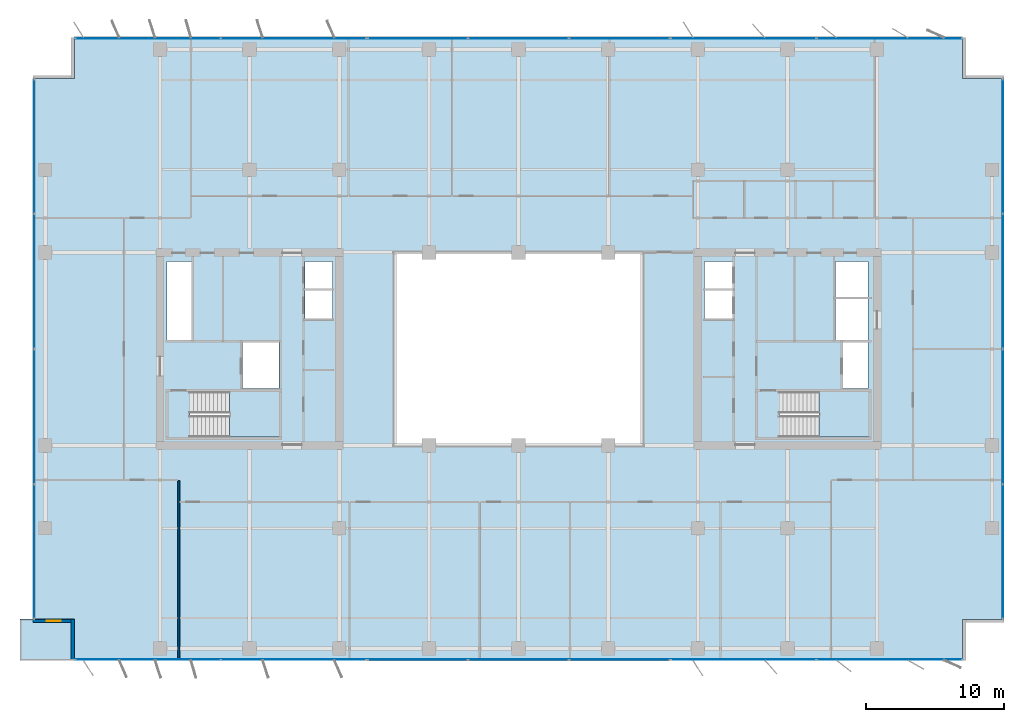
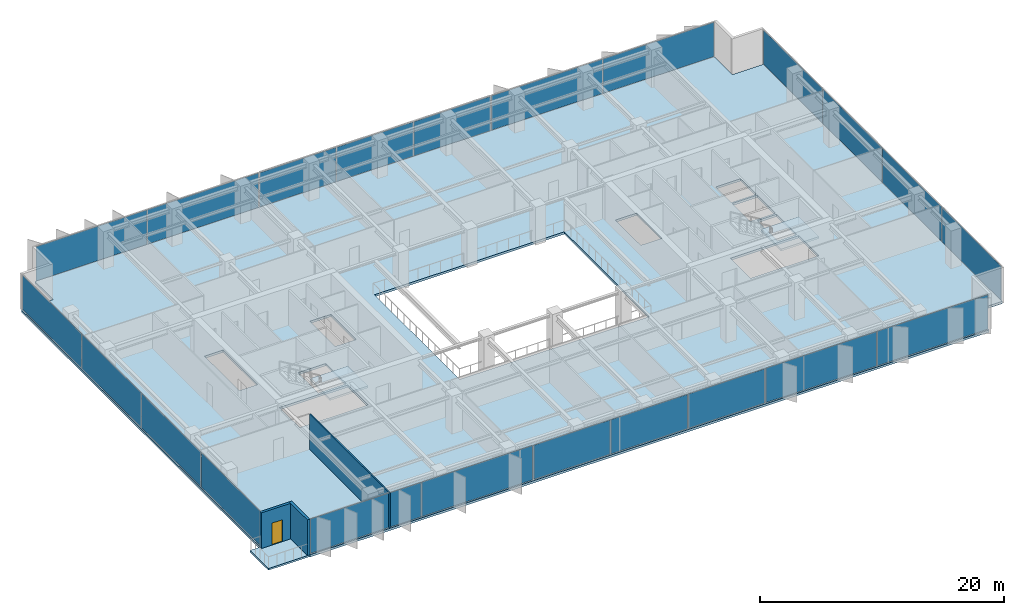
# One storey, part 14 of 22: 22 plates, 4 slabs, 3 walls, 1 door, 1 opening, 10 elements without a shape of their own.
"""IFC4 building model written with IfcOpenShell, lengths in metres."""

from ifc_helpers import new_model, si_unit, direction, frame, frame_2d, origin, origin_2d, place, context, subcontext, project, spatial, polyline, rectangle, outline, extrude, material, layer, layer_set, type_object, element, fill, aggregate, save


model = new_model("IFC4")

# Units and contexts
model_context = context("Model", 3, precision=1e-05, world=origin(), true_north=direction((0.0, 1.0)))
body_context = subcontext(model_context, "Body", "Model", "MODEL_VIEW")
ifc_project = project(units=[si_unit("LENGTHUNIT", "METRE"), si_unit("AREAUNIT", "SQUARE_METRE"), si_unit("VOLUMEUNIT", "CUBIC_METRE"), si_unit("PLANEANGLEUNIT", "RADIAN"), si_unit("MASSUNIT", "GRAM", prefix="KILO")], contexts=[model_context])

# Site, building, storey
site_placement = place(None, origin())
site = spatial("IfcSite", under=ifc_project, at=site_placement, CompositionType="ELEMENT")
building_placement = place(site_placement, origin())
building = spatial("IfcBuilding", under=site, at=building_placement, Name="Putna Gate Headquarters", CompositionType="ELEMENT")
storey_placement = place(building_placement, frame((0.0, 0.0, 163.199951171875)))
storey = spatial("IfcBuildingStorey", under=building, at=storey_placement, Name="L40", CompositionType="ELEMENT", Elevation=163.199951171875)

# Stair, slab
ifc_material_1 = material(Name="Concrete C40/50", Category="concrete")
stair_type_1 = type_object("IfcStairType", Name="STAIR-ST1", PredefinedType="HALF_TURN_STAIR", material=ifc_material_1)
stair_1_placement = place(storey_placement, origin())
stair_1 = element("IfcStair", 1, at=stair_1_placement, inside=storey, type_object=stair_type_1, Name="L40 West Core Exit Stair ST1", PredefinedType="HALF_TURN_STAIR")
ifc_layer_1 = layer(ifc_material_1, 0.199951171875)
ifc_layer_set_1 = layer_set([ifc_layer_1], Name="Concrete C40/50")
slab_type_1 = type_object("IfcSlabType", Name="LANDING-ST1", PredefinedType="LANDING", material=ifc_layer_set_1)
slab_1_placement = place(storey_placement, frame((0.0, 0.0, 1.699951171875)))
slab_1 = element("IfcSlab", 2, at=slab_1_placement, type_object=slab_type_1, Name="ST1 landing 1", PredefinedType="LANDING", context=body_context, shape_type="SweptSolid", body=[
    extrude(outline(polyline([(18.050048828125, 19.60009765625), (21.64990234375, 19.60009765625), (21.64990234375, 22.89990234375), (18.050048828125, 22.89990234375), (18.050048828125, 19.60009765625)])), origin(), (0.0, 0.0, 1.0), 0.2001953125),
])
aggregate(stair_1, [slab_1])

stair_type_2 = type_object("IfcStairType", Name="STAIR-ST2", PredefinedType="HALF_TURN_STAIR", material=ifc_material_1)
stair_2_placement = place(storey_placement, origin())
stair_2 = element("IfcStair", 3, at=stair_2_placement, inside=storey, type_object=stair_type_2, Name="L40 East Core Exit Stair ST2", PredefinedType="HALF_TURN_STAIR")
ifc_layer_2 = layer(ifc_material_1, 0.199951171875)
ifc_layer_set_2 = layer_set([ifc_layer_2], Name="Concrete C40/50")
slab_type_2 = type_object("IfcSlabType", Name="LANDING-ST2", PredefinedType="LANDING", material=ifc_layer_set_2)
slab_2_placement = place(storey_placement, frame((0.0, 0.0, 1.699951171875)))
slab_2 = element("IfcSlab", 4, at=slab_2_placement, type_object=slab_type_2, Name="ST2 landing 1", PredefinedType="LANDING", context=body_context, shape_type="SweptSolid", body=[
    extrude(outline(polyline([(60.800048828125, 19.60009765625), (64.39990234375, 19.60009765625), (64.39990234375, 22.89990234375), (60.800048828125, 22.89990234375), (60.800048828125, 19.60009765625)])), origin(), (0.0, 0.0, 1.0), 0.2001953125),
])
aggregate(stair_2, [slab_2])

# Curtain wall, plates
ifc_material_2 = material(Name="Anodised bronze aluminium curtain wall", Category="aluminium")
ifc_layer_3 = layer(ifc_material_2, 0.159912109375)
ifc_layer_set_3 = layer_set([ifc_layer_3], Name="Anodised bronze aluminium curtain wall")
curtain_wall_type_1 = type_object("IfcCurtainWallType", Name="CW-SYS-Z3", PredefinedType="USERDEFINED", material=ifc_layer_set_3)
curtain_wall_1_placement = place(storey_placement, origin())
curtain_wall_1 = element("IfcCurtainWall", 5, at=curtain_wall_1_placement, inside=storey, type_object=curtain_wall_type_1, Name="L40 South West Curtain Wall", ObjectType="STICK CURTAIN WALL", PredefinedType="USERDEFINED")
ifc_material_3 = material(Name="Solar-control triple low-E glass", Category="glass")
ifc_layer_4 = layer(ifc_material_3, 0.028076171875)
ifc_layer_set_4 = layer_set([ifc_layer_4], Name="Solar-control triple low-E glass")
plate_type_1 = type_object("IfcPlateType", Name="PAN-CWP-3", PredefinedType="CURTAIN_PANEL", material=ifc_layer_set_4)
plate_1_placement = place(storey_placement, frame((12.1162109375, 3.47998046875, 0.06005859375), z_axis=(0.0, 0.0, 1.0), x_axis=(1.0, 0.0, 0.0)))
plate_1 = element("IfcPlate", 6, at=plate_1_placement, type_object=plate_type_1, Name="CWS-3 panel 1.1", PredefinedType="CURTAIN_PANEL", context=body_context, shape_type="SweptSolid", body=[
    extrude(rectangle(XDim=10.50244140625, YDim=0.028076171875, at=origin_2d()), origin(), (0.0, 0.0, 1.0), 3.451904296875),
])
plate_2_placement = place(storey_placement, frame((22.683837890625, 3.47998046875, 0.06005859375), z_axis=(0.0, 0.0, 1.0), x_axis=(1.0, 0.0, 0.0)))
plate_2 = element("IfcPlate", 7, at=plate_2_placement, type_object=plate_type_1, Name="CWS-3 panel 2.1", PredefinedType="CURTAIN_PANEL", context=body_context, shape_type="SweptSolid", body=[
    extrude(rectangle(XDim=10.50244140625, YDim=0.028076171875, at=origin_2d()), origin(), (0.0, 0.0, 1.0), 3.451904296875),
])
aggregate(curtain_wall_1, [plate_1, plate_2])

curtain_wall_2_placement = place(storey_placement, origin())
curtain_wall_2 = element("IfcCurtainWall", 8, at=curtain_wall_2_placement, inside=storey, type_object=curtain_wall_type_1, Name="L40 South East Curtain Wall", ObjectType="STICK CURTAIN WALL", PredefinedType="USERDEFINED")
plate_3_placement = place(storey_placement, frame((55.316162109375, 3.47998046875, 0.06005859375), z_axis=(0.0, 0.0, 1.0), x_axis=(1.0, 0.0, 0.0)))
plate_3 = element("IfcPlate", 9, at=plate_3_placement, type_object=plate_type_1, Name="CWS-3 panel 1.1", PredefinedType="CURTAIN_PANEL", context=body_context, shape_type="SweptSolid", body=[
    extrude(rectangle(XDim=10.50244140625, YDim=0.028076171875, at=origin_2d()), origin(), (0.0, 0.0, 1.0), 3.451904296875),
])
plate_4_placement = place(storey_placement, frame((65.8837890625, 3.47998046875, 0.06005859375), z_axis=(0.0, 0.0, 1.0), x_axis=(1.0, 0.0, 0.0)))
plate_4 = element("IfcPlate", 10, at=plate_4_placement, type_object=plate_type_1, Name="CWS-3 panel 2.1", PredefinedType="CURTAIN_PANEL", context=body_context, shape_type="SweptSolid", body=[
    extrude(rectangle(XDim=10.50244140625, YDim=0.028076171875, at=origin_2d()), origin(), (0.0, 0.0, 1.0), 3.451904296875),
])
aggregate(curtain_wall_2, [plate_3, plate_4])

curtain_wall_3_placement = place(storey_placement, origin())
curtain_wall_3 = element("IfcCurtainWall", 11, at=curtain_wall_3_placement, inside=storey, type_object=curtain_wall_type_1, Name="L40 North West Curtain Wall", ObjectType="STICK CURTAIN WALL", PredefinedType="USERDEFINED")
plate_5_placement = place(storey_placement, frame((12.1162109375, 48.52001953125, 0.06005859375), z_axis=(0.0, 0.0, 1.0), x_axis=(1.0, 0.0, 0.0)))
plate_5 = element("IfcPlate", 12, at=plate_5_placement, type_object=plate_type_1, Name="CWS-3 panel 1.1", PredefinedType="CURTAIN_PANEL", context=body_context, shape_type="SweptSolid", body=[
    extrude(rectangle(XDim=10.50244140625, YDim=0.028076171875, at=origin_2d()), origin(), (0.0, 0.0, 1.0), 3.451904296875),
])
plate_6_placement = place(storey_placement, frame((22.683837890625, 48.52001953125, 0.06005859375), z_axis=(0.0, 0.0, 1.0), x_axis=(1.0, 0.0, 0.0)))
plate_6 = element("IfcPlate", 13, at=plate_6_placement, type_object=plate_type_1, Name="CWS-3 panel 2.1", PredefinedType="CURTAIN_PANEL", context=body_context, shape_type="SweptSolid", body=[
    extrude(rectangle(XDim=10.50244140625, YDim=0.028076171875, at=origin_2d()), origin(), (0.0, 0.0, 1.0), 3.451904296875),
])
aggregate(curtain_wall_3, [plate_5, plate_6])

curtain_wall_4_placement = place(storey_placement, origin())
curtain_wall_4 = element("IfcCurtainWall", 14, at=curtain_wall_4_placement, inside=storey, type_object=curtain_wall_type_1, Name="L40 North East Curtain Wall", ObjectType="STICK CURTAIN WALL", PredefinedType="USERDEFINED")
plate_7_placement = place(storey_placement, frame((55.316162109375, 48.52001953125, 0.06005859375), z_axis=(0.0, 0.0, 1.0), x_axis=(1.0, 0.0, 0.0)))
plate_7 = element("IfcPlate", 15, at=plate_7_placement, type_object=plate_type_1, Name="CWS-3 panel 1.1", PredefinedType="CURTAIN_PANEL", context=body_context, shape_type="SweptSolid", body=[
    extrude(rectangle(XDim=10.50244140625, YDim=0.028076171875, at=origin_2d()), origin(), (0.0, 0.0, 1.0), 3.451904296875),
])
plate_8_placement = place(storey_placement, frame((65.8837890625, 48.52001953125, 0.06005859375), z_axis=(0.0, 0.0, 1.0), x_axis=(1.0, 0.0, 0.0)))
plate_8 = element("IfcPlate", 16, at=plate_8_placement, type_object=plate_type_1, Name="CWS-3 panel 2.1", PredefinedType="CURTAIN_PANEL", context=body_context, shape_type="SweptSolid", body=[
    extrude(rectangle(XDim=10.50244140625, YDim=0.028076171875, at=origin_2d()), origin(), (0.0, 0.0, 1.0), 3.451904296875),
])
aggregate(curtain_wall_4, [plate_7, plate_8])

curtain_wall_5_placement = place(storey_placement, origin())
curtain_wall_5 = element("IfcCurtainWall", 17, at=curtain_wall_5_placement, inside=storey, type_object=curtain_wall_type_1, Name="L40 West Curtain Wall", ObjectType="STICK CURTAIN WALL", PredefinedType="USERDEFINED")
plate_9_placement = place(storey_placement, frame((3.8798828125, 11.316162109375, 0.06005859375), z_axis=(0.0, 0.0, 1.0), x_axis=(0.0, 1.0, 0.0)))
plate_9 = element("IfcPlate", 18, at=plate_9_placement, type_object=plate_type_1, Name="CWS-3 panel 1.1", PredefinedType="CURTAIN_PANEL", context=body_context, shape_type="SweptSolid", body=[
    extrude(rectangle(XDim=9.702392578125, YDim=0.028076171875, at=origin_2d()), origin(), (0.0, 0.0, 1.0), 3.451904296875),
])
plate_10_placement = place(storey_placement, frame((3.8798828125, 21.10009765625, 0.06005859375), z_axis=(0.0, 0.0, 1.0), x_axis=(0.0, 1.0, 0.0)))
plate_10 = element("IfcPlate", 19, at=plate_10_placement, type_object=plate_type_1, Name="CWS-3 panel 2.1", PredefinedType="CURTAIN_PANEL", context=body_context, shape_type="SweptSolid", body=[
    extrude(rectangle(XDim=9.735107421875, YDim=0.028076171875, at=origin_2d()), origin(), (0.0, 0.0, 1.0), 3.451904296875),
])
plate_11_placement = place(storey_placement, frame((3.8798828125, 30.89990234375, 0.06005859375), z_axis=(0.0, 0.0, 1.0), x_axis=(0.0, 1.0, 0.0)))
plate_11 = element("IfcPlate", 20, at=plate_11_placement, type_object=plate_type_1, Name="CWS-3 panel 3.1", PredefinedType="CURTAIN_PANEL", context=body_context, shape_type="SweptSolid", body=[
    extrude(rectangle(XDim=9.735107421875, YDim=0.028076171875, at=origin_2d()), origin(), (0.0, 0.0, 1.0), 3.451904296875),
])
plate_12_placement = place(storey_placement, frame((3.8798828125, 40.683837890625, 0.06005859375), z_axis=(0.0, 0.0, 1.0), x_axis=(0.0, 1.0, 0.0)))
plate_12 = element("IfcPlate", 21, at=plate_12_placement, type_object=plate_type_1, Name="CWS-3 panel 4.1", PredefinedType="CURTAIN_PANEL", context=body_context, shape_type="SweptSolid", body=[
    extrude(rectangle(XDim=9.702392578125, YDim=0.028076171875, at=origin_2d()), origin(), (0.0, 0.0, 1.0), 3.451904296875),
])
aggregate(curtain_wall_5, [plate_9, plate_10, plate_11, plate_12])

curtain_wall_6_placement = place(storey_placement, origin())
curtain_wall_6 = element("IfcCurtainWall", 22, at=curtain_wall_6_placement, inside=storey, type_object=curtain_wall_type_1, Name="L40 East Curtain Wall", ObjectType="STICK CURTAIN WALL", PredefinedType="USERDEFINED")
plate_13_placement = place(storey_placement, frame((74.1201171875, 11.316162109375, 0.06005859375), z_axis=(0.0, 0.0, 1.0), x_axis=(0.0, 1.0, 0.0)))
plate_13 = element("IfcPlate", 23, at=plate_13_placement, type_object=plate_type_1, Name="CWS-3 panel 1.1", PredefinedType="CURTAIN_PANEL", context=body_context, shape_type="SweptSolid", body=[
    extrude(rectangle(XDim=9.702392578125, YDim=0.028076171875, at=origin_2d()), origin(), (0.0, 0.0, 1.0), 3.451904296875),
])
plate_14_placement = place(storey_placement, frame((74.1201171875, 21.10009765625, 0.06005859375), z_axis=(0.0, 0.0, 1.0), x_axis=(0.0, 1.0, 0.0)))
plate_14 = element("IfcPlate", 24, at=plate_14_placement, type_object=plate_type_1, Name="CWS-3 panel 2.1", PredefinedType="CURTAIN_PANEL", context=body_context, shape_type="SweptSolid", body=[
    extrude(rectangle(XDim=9.735107421875, YDim=0.028076171875, at=origin_2d()), origin(), (0.0, 0.0, 1.0), 3.451904296875),
])
plate_15_placement = place(storey_placement, frame((74.1201171875, 30.89990234375, 0.06005859375), z_axis=(0.0, 0.0, 1.0), x_axis=(0.0, 1.0, 0.0)))
plate_15 = element("IfcPlate", 25, at=plate_15_placement, type_object=plate_type_1, Name="CWS-3 panel 3.1", PredefinedType="CURTAIN_PANEL", context=body_context, shape_type="SweptSolid", body=[
    extrude(rectangle(XDim=9.735107421875, YDim=0.028076171875, at=origin_2d()), origin(), (0.0, 0.0, 1.0), 3.451904296875),
])
plate_16_placement = place(storey_placement, frame((74.1201171875, 40.683837890625, 0.06005859375), z_axis=(0.0, 0.0, 1.0), x_axis=(0.0, 1.0, 0.0)))
plate_16 = element("IfcPlate", 26, at=plate_16_placement, type_object=plate_type_1, Name="CWS-3 panel 4.1", PredefinedType="CURTAIN_PANEL", context=body_context, shape_type="SweptSolid", body=[
    extrude(rectangle(XDim=9.702392578125, YDim=0.028076171875, at=origin_2d()), origin(), (0.0, 0.0, 1.0), 3.451904296875),
])
aggregate(curtain_wall_6, [plate_13, plate_14, plate_15, plate_16])

ifc_layer_5 = layer(ifc_material_2, 0.179931640625)
ifc_layer_set_5 = layer_set([ifc_layer_5], Name="Anodised bronze aluminium curtain wall")
curtain_wall_type_2 = type_object("IfcCurtainWallType", Name="CW-SYS-ATR", PredefinedType="USERDEFINED", material=ifc_layer_set_5)
curtain_wall_7_placement = place(storey_placement, origin())
curtain_wall_7 = element("IfcCurtainWall", 27, at=curtain_wall_7_placement, inside=storey, type_object=curtain_wall_type_2, Name="L40 South Atrium Clear Glazing", ObjectType="ATRIUM GLAZING", PredefinedType="USERDEFINED")
ifc_material_4 = material(Name="Clear low-iron triple glazing", Category="glass")
ifc_layer_6 = layer(ifc_material_4, 0.0400390625)
ifc_layer_set_6 = layer_set([ifc_layer_6], Name="Clear low-iron triple glazing")
plate_type_2 = type_object("IfcPlateType", Name="PAN-CWP-AT", PredefinedType="CURTAIN_PANEL", material=ifc_layer_set_6)
plate_17_placement = place(storey_placement, frame((31.68408203125, 3.47998046875, 0.0703125), z_axis=(0.0, 0.0, 1.0), x_axis=(1.0, 0.0, 0.0)))
plate_17 = element("IfcPlate", 28, at=plate_17_placement, type_object=plate_type_2, Name="CWS-AT panel 1.1", PredefinedType="CURTAIN_PANEL", context=body_context, shape_type="SweptSolid", body=[
    extrude(rectangle(XDim=7.228271484375, YDim=0.0400390625, at=origin_2d()), origin(), (0.0, 0.0, 1.0), 3.431884765625),
])
plate_18_placement = place(storey_placement, frame((39.0, 3.47998046875, 0.0703125), z_axis=(0.0, 0.0, 1.0), x_axis=(1.0, 0.0, 0.0)))
plate_18 = element("IfcPlate", 29, at=plate_18_placement, type_object=plate_type_2, Name="CWS-AT panel 2.1", PredefinedType="CURTAIN_PANEL", context=body_context, shape_type="SweptSolid", body=[
    extrude(rectangle(XDim=7.263427734375, YDim=0.0400390625, at=origin_2d()), origin(), (0.0, 0.0, 1.0), 3.431884765625),
])
plate_19_placement = place(storey_placement, frame((46.31591796875, 3.47998046875, 0.0703125), z_axis=(0.0, 0.0, 1.0), x_axis=(1.0, 0.0, 0.0)))
plate_19 = element("IfcPlate", 30, at=plate_19_placement, type_object=plate_type_2, Name="CWS-AT panel 3.1", PredefinedType="CURTAIN_PANEL", context=body_context, shape_type="SweptSolid", body=[
    extrude(rectangle(XDim=7.228271484375, YDim=0.0400390625, at=origin_2d()), origin(), (0.0, 0.0, 1.0), 3.431884765625),
])
aggregate(curtain_wall_7, [plate_17, plate_18, plate_19])

curtain_wall_8_placement = place(storey_placement, origin())
curtain_wall_8 = element("IfcCurtainWall", 31, at=curtain_wall_8_placement, inside=storey, type_object=curtain_wall_type_2, Name="L40 North Atrium Clear Glazing", ObjectType="ATRIUM GLAZING", PredefinedType="USERDEFINED")
plate_20_placement = place(storey_placement, frame((31.68408203125, 48.52001953125, 0.0703125), z_axis=(0.0, 0.0, 1.0), x_axis=(1.0, 0.0, 0.0)))
plate_20 = element("IfcPlate", 32, at=plate_20_placement, type_object=plate_type_2, Name="CWS-AT panel 1.1", PredefinedType="CURTAIN_PANEL", context=body_context, shape_type="SweptSolid", body=[
    extrude(rectangle(XDim=7.228271484375, YDim=0.0400390625, at=origin_2d()), origin(), (0.0, 0.0, 1.0), 3.431884765625),
])
plate_21_placement = place(storey_placement, frame((39.0, 48.52001953125, 0.0703125), z_axis=(0.0, 0.0, 1.0), x_axis=(1.0, 0.0, 0.0)))
plate_21 = element("IfcPlate", 33, at=plate_21_placement, type_object=plate_type_2, Name="CWS-AT panel 2.1", PredefinedType="CURTAIN_PANEL", context=body_context, shape_type="SweptSolid", body=[
    extrude(rectangle(XDim=7.263427734375, YDim=0.0400390625, at=origin_2d()), origin(), (0.0, 0.0, 1.0), 3.431884765625),
])
plate_22_placement = place(storey_placement, frame((46.31591796875, 48.52001953125, 0.0703125), z_axis=(0.0, 0.0, 1.0), x_axis=(1.0, 0.0, 0.0)))
plate_22 = element("IfcPlate", 34, at=plate_22_placement, type_object=plate_type_2, Name="CWS-AT panel 3.1", PredefinedType="CURTAIN_PANEL", context=body_context, shape_type="SweptSolid", body=[
    extrude(rectangle(XDim=7.228271484375, YDim=0.0400390625, at=origin_2d()), origin(), (0.0, 0.0, 1.0), 3.431884765625),
])
aggregate(curtain_wall_8, [plate_20, plate_21, plate_22])

# Slabs
ifc_layer_7 = layer(ifc_material_1, 0.179931640625)
ifc_layer_set_7 = layer_set([ifc_layer_7], Name="Concrete C40/50")
slab_type_3 = type_object("IfcSlabType", Name="SLAB-TERRACE-180", PredefinedType="FLOOR", material=ifc_layer_set_7)
slab_3_placement = place(storey_placement, frame((0.0, 0.0, -0.179931640625)))
element("IfcSlab", 35, at=slab_3_placement, inside=storey, type_object=slab_type_3, Name="L40 Spiral Sky-Garden Terrace Slab (SW)", PredefinedType="FLOOR", context=body_context, shape_type="SweptSolid", body=[
    extrude(outline(polyline([(2.85009765625, 3.39990234375), (6.80810546875, 3.39990234375), (6.80810546875, 6.407958984375), (2.85009765625, 6.407958984375), (2.85009765625, 3.39990234375)])), origin(), (0.0, 0.0, 1.0), 0.179931640625),
])
ifc_layer_8 = layer(ifc_material_1, 0.22802734375)
ifc_layer_set_8 = layer_set([ifc_layer_8], Name="Concrete C40/50")
slab_type_4 = type_object("IfcSlabType", Name="SLAB-Z3-228", PredefinedType="FLOOR", material=ifc_layer_set_8)
slab_4_placement = place(storey_placement, frame((0.0, 0.0, -0.22802734375)))
element("IfcSlab", 36, at=slab_4_placement, inside=storey, type_object=slab_type_4, Name="L40 Composite Floor Slab", PredefinedType="FLOOR", context=body_context, shape_type="SweptSolid", body=[
    extrude(outline(polyline([(6.800048828125, 3.39990234375), (71.199951171875, 3.39990234375), (71.199951171875, 6.39990234375), (74.199951171875, 6.39990234375), (74.199951171875, 45.60009765625), (71.199951171875, 45.60009765625), (71.199951171875, 48.60009765625), (6.800048828125, 48.60009765625), (6.800048828125, 45.60009765625), (3.800048828125, 45.60009765625), (3.800048828125, 6.39990234375), (6.800048828125, 6.39990234375), (6.800048828125, 3.39990234375)]), holes=[polyline([(15.1650390625, 19.60009765625), (21.64990234375, 19.60009765625), (21.64990234375, 22.89990234375), (15.1650390625, 22.89990234375), (15.1650390625, 19.60009765625)]), polyline([(57.9150390625, 19.60009765625), (64.39990234375, 19.60009765625), (64.39990234375, 22.89990234375), (57.9150390625, 22.89990234375), (57.9150390625, 19.60009765625)]), polyline([(13.52001953125, 26.659912109375), (15.280029296875, 26.659912109375), (15.280029296875, 32.35009765625), (13.52001953125, 32.35009765625), (13.52001953125, 26.659912109375)]), polyline([(61.969970703125, 29.780029296875), (64.35009765625, 29.780029296875), (64.35009765625, 32.35009765625), (61.969970703125, 32.35009765625), (61.969970703125, 29.780029296875)]), polyline([(18.97998046875, 23.1201171875), (21.6201171875, 23.1201171875), (21.6201171875, 26.4599609375), (18.97998046875, 26.4599609375), (18.97998046875, 23.1201171875)]), polyline([(62.52001953125, 23.1201171875), (64.35009765625, 23.1201171875), (64.35009765625, 26.4599609375), (62.52001953125, 26.4599609375), (62.52001953125, 23.1201171875)]), polyline([(61.969970703125, 26.659912109375), (64.35009765625, 26.659912109375), (64.35009765625, 29.6201171875), (61.969970703125, 29.6201171875), (61.969970703125, 26.659912109375)]), polyline([(23.5, 28.199951171875), (25.5, 28.199951171875), (25.5, 32.35009765625), (23.5, 32.35009765625), (23.5, 28.199951171875)]), polyline([(52.47998046875, 28.199951171875), (54.5, 28.199951171875), (54.5, 32.35009765625), (52.47998046875, 32.35009765625), (52.47998046875, 28.199951171875)]), polyline([(30.0, 19.0), (48.0, 19.0), (48.0, 33.0), (30.0, 33.0), (30.0, 19.0)])]), origin(), (0.0, 0.0, 1.0), 0.22802734375),
])

# Wall
ifc_material_5 = material(Name="Precast concrete C40/50", Category="concrete")
ifc_layer_9 = layer(ifc_material_5, 0.239990234375)
ifc_layer_set_9 = layer_set([ifc_layer_9], Name="Precast concrete C40/50")
wall_type_1 = type_object("IfcWallType", Name="WALL-EXT-TERR-240", PredefinedType="STANDARD", material=ifc_layer_set_9)
wall_1_placement = place(storey_placement, frame((6.679931640625, 3.39990234375, 0.0), z_axis=(0.0, 0.0, 1.0), x_axis=(0.0, 1.0, 0.0)))
element("IfcWall", 37, at=wall_1_placement, inside=storey, type_object=wall_type_1, Name="L40 Corner Notch Return Wall SW-V", PredefinedType="STANDARD", context=body_context, shape_type="SweptSolid", body=[
    extrude(rectangle(XDim=3.0, YDim=0.239990234375, at=frame_2d((1.5, 0.0))), origin(), (0.0, 0.0, 1.0), 3.572021484375),
])

# Wall, opening, door
wall_2_placement = place(storey_placement, frame((6.800048828125, 6.280029296875, 0.0), z_axis=(0.0, 0.0, 1.0), x_axis=(-1.0, 0.0, 0.0)))
wall_2 = element("IfcWall", 38, at=wall_2_placement, inside=storey, type_object=wall_type_1, Name="L40 Corner Notch Return Wall SW-H", PredefinedType="STANDARD", context=body_context, shape_type="SweptSolid", body=[
    extrude(rectangle(XDim=3.0, YDim=0.239990234375, at=frame_2d((1.5, 0.0))), origin(), (0.0, 0.0, 1.0), 3.572021484375),
])
opening_placement = place(wall_2_placement, frame((1.0, 0.0, 0.0)))
opening = element("IfcOpeningElement", 39, at=opening_placement, cuts=wall_2, Name="Opening TRD-1", PredefinedType="OPENING", context=body_context, shape_type="SweptSolid", body=[
    extrude(rectangle(XDim=1.0, YDim=2.199951171875, at=frame_2d((0.5, 1.10009765625))), frame((0.0, 0.1298828125, 0.0), z_axis=(0.0, -1.0, 0.0), x_axis=(1.0, 0.0, 0.0)), (0.0, 0.0, 1.0), 0.260009765625),
])
ifc_material_6 = material(Name="Thermally broken bronze glazed terrace door")
door_type = type_object("IfcDoorType", Name="DOOR-TERR-EXT-1000", OperationType="NOTDEFINED", PredefinedType="DOOR", material=ifc_material_6)
door_placement = place(opening_placement, origin())
door = element("IfcDoor", 40, at=door_placement, inside=storey, type_object=door_type, Name="L40 Spiral Sky Terrace Door SW", OperationType="SINGLE_SWING_LEFT", OverallHeight=2.199951171875, OverallWidth=1.0, PredefinedType="DOOR", context=body_context, shape_type="SweptSolid", body=[
    extrude(rectangle(XDim=1.0, YDim=2.199951171875, at=frame_2d((0.5, 1.10009765625))), frame((0.0, 0.02490234375, 0.0), z_axis=(0.0, -1.0, 0.0), x_axis=(1.0, 0.0, 0.0)), (0.0, 0.0, 1.0), 0.050048828125),
])
fill(opening, door)

# Wall
ifc_material_7 = material(Name="Acoustic gypsum board on metal stud")
ifc_layer_10 = layer(ifc_material_7, 0.1201171875)
ifc_layer_set_10 = layer_set([ifc_layer_10], Name="Acoustic gypsum board on metal stud")
wall_type_2 = type_object("IfcWallType", Name="WALL-PART-120", PredefinedType="PARTITIONING", material=ifc_layer_set_10)
wall_3_placement = place(storey_placement, frame((14.35986328125, 3.419921875, 0.0), z_axis=(0.0, 0.0, 1.0), x_axis=(0.0, 1.0, 0.0)))
element("IfcWall", 41, at=wall_3_placement, inside=storey, type_object=wall_type_2, Name="L40 Interior Wall PART-L40-SB-DIV-01", PredefinedType="PARTITIONING", context=body_context, shape_type="SweptSolid", body=[
    extrude(rectangle(XDim=13.02001953125, YDim=0.1201171875, at=frame_2d((6.510009765625, 0.0))), origin(), (0.0, 0.0, 1.0), 3.572021484375),
])

save(model, "model.ifc")
